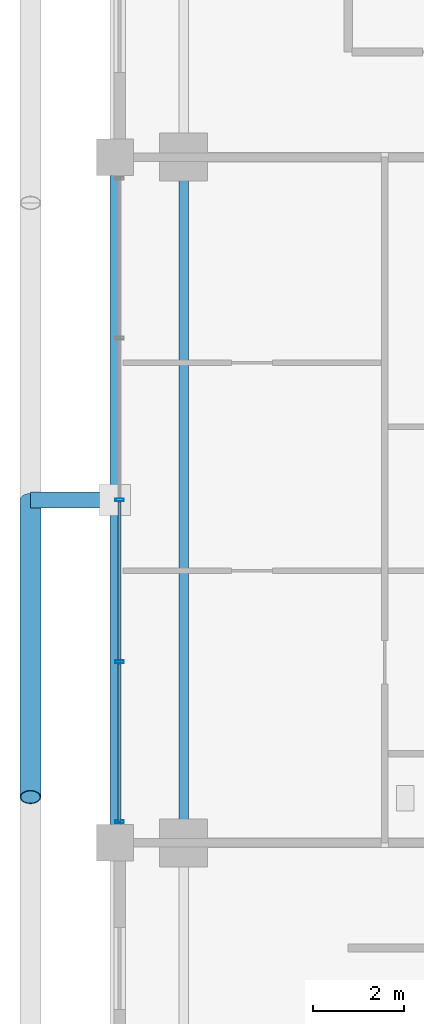
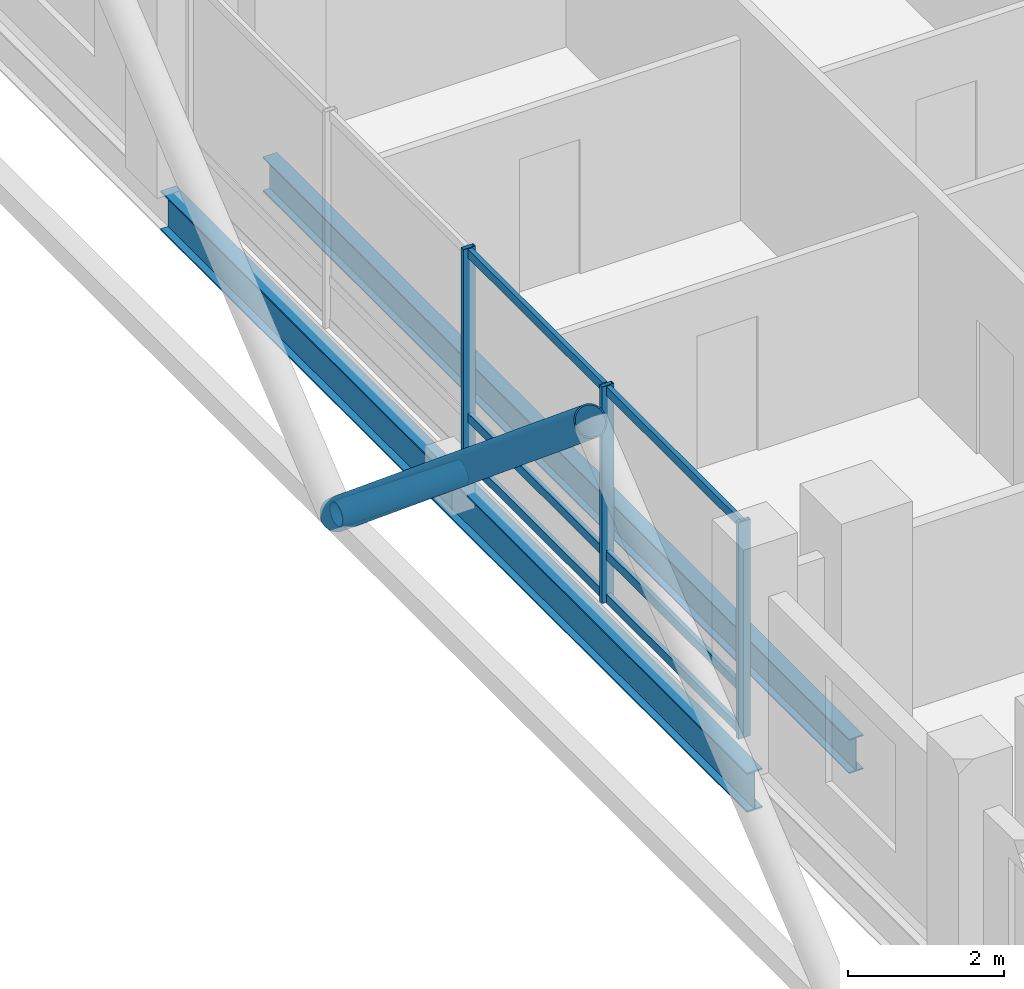
# One storey, part 7 of 26: 11 members, 2 beams, 1 element without a shape of its own.
"""IFC4 building model written with IfcOpenShell, lengths in metres."""

from ifc_helpers import new_model, si_unit, direction, frame, origin, origin_2d, place, context, subcontext, project, spatial, hollow_rectangle, hollow_circle, i_section, extrude, material, layer, layer_set, material_profile, profile_set, type_object, element, aggregate, save


model = new_model("IFC4")

# Units and contexts
model_context = context("Model", 3, precision=1e-05, world=origin(), true_north=direction((0.0, 1.0)))
body_context = subcontext(model_context, "Body", "Model", "MODEL_VIEW")
ifc_project = project(units=[si_unit("LENGTHUNIT", "METRE"), si_unit("AREAUNIT", "SQUARE_METRE"), si_unit("VOLUMEUNIT", "CUBIC_METRE"), si_unit("PLANEANGLEUNIT", "RADIAN"), si_unit("MASSUNIT", "GRAM", prefix="KILO")], contexts=[model_context])

# Site, building, storey
site_placement = place(None, origin())
site = spatial("IfcSite", under=ifc_project, at=site_placement, CompositionType="ELEMENT")
building_placement = place(site_placement, origin())
building = spatial("IfcBuilding", under=site, at=building_placement, Name="Barlavira Tower and Art Museum", CompositionType="ELEMENT")
storey_placement = place(building_placement, frame((0.0, 0.0, 187.199951171875)))
storey = spatial("IfcBuildingStorey", under=building, at=storey_placement, Name="L48", CompositionType="ELEMENT", Elevation=187.199951171875)

# Curtain wall, members
ifc_material_1 = material(Name="Low-iron coastal laminated glass", Category="glass")
ifc_layer = layer(ifc_material_1, 0.199951171875, Name="Low-iron coastal laminated glass")
ifc_layer_set = layer_set([ifc_layer], Name="Low-iron coastal laminated glass")
curtain_wall_type = type_object("IfcCurtainWallType", Name="Pale-Metal Unitised Curtain Wall Zone 3", PredefinedType="NOTDEFINED", material=ifc_layer_set)
curtain_wall_placement = place(storey_placement, origin())
curtain_wall = element("IfcCurtainWall", 1, at=curtain_wall_placement, inside=storey, type_object=curtain_wall_type, Name="L48 Curtain Wall CW3-L48-W-B3", PredefinedType="NOTDEFINED")
ifc_material_2 = material(Name="Pale anodised aluminium", Category="aluminium")
ifc_material_profile_1 = material_profile(ifc_material_2, hollow_rectangle(XDim=0.06494140625, YDim=0.179931640625, WallThickness=0.00390625, at=origin_2d()), Name="ALU-MULL 65x180x4")
ifc_profile_set_1 = profile_set([ifc_material_profile_1], Name="Pale anodised aluminium")
member_type_1 = type_object("IfcMemberType", Name="Curtain Wall Pale-Metal Mullion 65x180", PredefinedType="MULLION", material=ifc_profile_set_1)
member_1_placement = place(storey_placement, frame((-18.39990234375, 0.0, 0.0), z_axis=(0.0, 0.0, 1.0), x_axis=(0.0, -1.0, 0.0)))
member_1 = element("IfcMember", 2, at=member_1_placement, type_object=member_type_1, Name="CW3-L48-W-B3 Mullion 2", PredefinedType="MULLION", context=body_context, shape_type="SweptSolid", body=[
    extrude(hollow_rectangle(XDim=0.06494140625, YDim=0.179931640625, WallThickness=0.00390625, at=origin_2d()), origin(), (0.0, 0.0, 1.0), 3.380126953125),
])
member_2_placement = place(storey_placement, frame((-18.39990234375, -3.5400390625, 0.0), z_axis=(0.0, 0.0, 1.0), x_axis=(0.0, -1.0, 0.0)))
member_2 = element("IfcMember", 3, at=member_2_placement, type_object=member_type_1, Name="CW3-L48-W-B3 Mullion 3", PredefinedType="MULLION", context=body_context, shape_type="SweptSolid", body=[
    extrude(hollow_rectangle(XDim=0.06494140625, YDim=0.179931640625, WallThickness=0.00390625, at=origin_2d()), origin(), (0.0, 0.0, 1.0), 3.380126953125),
])
member_3_placement = place(storey_placement, frame((-18.39990234375, -7.034912109375, 0.0), z_axis=(0.0, 0.0, 1.0), x_axis=(0.0, -1.0, 0.0)))
member_3 = element("IfcMember", 4, at=member_3_placement, type_object=member_type_1, Name="CW3-L48-W-B3 Mullion 4", PredefinedType="MULLION", context=body_context, shape_type="SweptSolid", body=[
    extrude(hollow_rectangle(XDim=0.06494140625, YDim=0.179931640625, WallThickness=0.00390625, at=origin_2d()), origin(), (0.0, 0.0, 1.0), 3.380126953125),
])
ifc_material_profile_2 = material_profile(ifc_material_2, hollow_rectangle(XDim=0.06494140625, YDim=0.139892578125, WallThickness=0.00390625, at=origin_2d()), Name="ALU-TRAN 65x140x4")
ifc_profile_set_2 = profile_set([ifc_material_profile_2], Name="Pale anodised aluminium")
member_type_2 = type_object("IfcMemberType", Name="Curtain Wall Pale-Metal Transom 65x140", PredefinedType="USERDEFINED", material=ifc_profile_set_2)
member_4_placement = place(storey_placement, frame((-18.39990234375, -0.044921875, 0.070068359375), z_axis=(0.0, -1.0, 0.0), x_axis=(1.0, 0.0, 0.0)))
member_4 = element("IfcMember", 5, at=member_4_placement, type_object=member_type_2, Name="CW3-L48-W-B3 Transom 2.1", ObjectType="TRANSOM", PredefinedType="USERDEFINED", context=body_context, shape_type="SweptSolid", body=[
    extrude(hollow_rectangle(XDim=0.06494140625, YDim=0.139892578125, WallThickness=0.00390625, at=origin_2d()), origin(), (0.0, 0.0, 1.0), 3.4501953125),
])
member_5_placement = place(storey_placement, frame((-18.39990234375, -0.044921875, 0.744140625), z_axis=(0.0, -1.0, 0.0), x_axis=(1.0, 0.0, 0.0)))
member_5 = element("IfcMember", 6, at=member_5_placement, type_object=member_type_2, Name="CW3-L48-W-B3 Transom 2.2", ObjectType="TRANSOM", PredefinedType="USERDEFINED", context=body_context, shape_type="SweptSolid", body=[
    extrude(hollow_rectangle(XDim=0.06494140625, YDim=0.139892578125, WallThickness=0.00390625, at=origin_2d()), origin(), (0.0, 0.0, 1.0), 3.4501953125),
])
member_6_placement = place(storey_placement, frame((-18.39990234375, -0.044921875, 3.31005859375), z_axis=(0.0, -1.0, 0.0), x_axis=(1.0, 0.0, 0.0)))
member_6 = element("IfcMember", 7, at=member_6_placement, type_object=member_type_2, Name="CW3-L48-W-B3 Transom 2.3", ObjectType="TRANSOM", PredefinedType="USERDEFINED", context=body_context, shape_type="SweptSolid", body=[
    extrude(hollow_rectangle(XDim=0.06494140625, YDim=0.139892578125, WallThickness=0.00390625, at=origin_2d()), origin(), (0.0, 0.0, 1.0), 3.4501953125),
])
member_7_placement = place(storey_placement, frame((-18.39990234375, -3.5849609375, 0.070068359375), z_axis=(0.0, -1.0, 0.0), x_axis=(1.0, 0.0, 0.0)))
member_7 = element("IfcMember", 8, at=member_7_placement, type_object=member_type_2, Name="CW3-L48-W-B3 Transom 3.1", ObjectType="TRANSOM", PredefinedType="USERDEFINED", context=body_context, shape_type="SweptSolid", body=[
    extrude(hollow_rectangle(XDim=0.06494140625, YDim=0.139892578125, WallThickness=0.00390625, at=origin_2d()), origin(), (0.0, 0.0, 1.0), 3.449951171875),
])
member_8_placement = place(storey_placement, frame((-18.39990234375, -3.5849609375, 0.744140625), z_axis=(0.0, -1.0, 0.0), x_axis=(1.0, 0.0, 0.0)))
member_8 = element("IfcMember", 9, at=member_8_placement, type_object=member_type_2, Name="CW3-L48-W-B3 Transom 3.2", ObjectType="TRANSOM", PredefinedType="USERDEFINED", context=body_context, shape_type="SweptSolid", body=[
    extrude(hollow_rectangle(XDim=0.06494140625, YDim=0.139892578125, WallThickness=0.00390625, at=origin_2d()), origin(), (0.0, 0.0, 1.0), 3.449951171875),
])
member_9_placement = place(storey_placement, frame((-18.39990234375, -3.5849609375, 3.31005859375), z_axis=(0.0, -1.0, 0.0), x_axis=(1.0, 0.0, 0.0)))
member_9 = element("IfcMember", 10, at=member_9_placement, type_object=member_type_2, Name="CW3-L48-W-B3 Transom 3.3", ObjectType="TRANSOM", PredefinedType="USERDEFINED", context=body_context, shape_type="SweptSolid", body=[
    extrude(hollow_rectangle(XDim=0.06494140625, YDim=0.139892578125, WallThickness=0.00390625, at=origin_2d()), origin(), (0.0, 0.0, 1.0), 3.449951171875),
])
aggregate(curtain_wall, [member_1, member_2, member_3, member_4, member_5, member_6, member_7, member_8, member_9])

# Members
ifc_material_3 = material(Name="Steel S355", Category="steel")
ifc_material_profile_3 = material_profile(ifc_material_3, hollow_circle(Radius=0.228515625, WallThickness=0.02001953125, at=origin_2d()), Name="CHS 457.0x20.0")
ifc_profile_set_3 = profile_set([ifc_material_profile_3], Name="Steel S355")
member_type_3 = type_object("IfcMemberType", Name="Pale-Metal Exoskeleton Diagrid Tube CHS 457x20 Steel S355", PredefinedType="BRACE", material=ifc_profile_set_3)
member_10_placement = place(storey_placement, frame((-20.35009765625, 0.0, -0.119873046875), z_axis=(0.0, -0.769196053329, 0.639012857104), x_axis=(1.0, 0.0, 0.0)))
element("IfcMember", 11, at=member_10_placement, inside=storey, type_object=member_type_3, Name="L48 Exoskeleton Diagrid Tube W", PredefinedType="BRACE", context=body_context, shape_type="SweptSolid", body=[
    extrude(hollow_circle(Radius=0.228515625, WallThickness=0.02001953125, at=origin_2d()), origin(), (0.0, 0.0, 1.0), 8.450439453125),
])
ifc_material_profile_4 = material_profile(ifc_material_3, hollow_circle(Radius=0.177734375, WallThickness=0.01611328125, at=origin_2d()), Name="CHS 355.6x16.0")
ifc_profile_set_4 = profile_set([ifc_material_profile_4], Name="Steel S355")
member_type_4 = type_object("IfcMemberType", Name="Pale-Metal Exoskeleton Tie Strut CHS 356x16 Steel S355", PredefinedType="STRUT", material=ifc_profile_set_4)
member_11_placement = place(storey_placement, frame((-20.35009765625, 0.0, -0.119873046875), z_axis=(1.0, 0.0, 0.0), x_axis=(0.0, 1.0, 0.0)))
element("IfcMember", 12, at=member_11_placement, inside=storey, type_object=member_type_4, Name="L48 Exoskeleton Tie Strut W2", PredefinedType="STRUT", context=body_context, shape_type="SweptSolid", body=[
    extrude(hollow_circle(Radius=0.177734375, WallThickness=0.01611328125, at=origin_2d()), origin(), (0.0, 0.0, 1.0), 1.85009765625),
])

# Beams
ifc_material_profile_5 = material_profile(ifc_material_3, i_section(OverallWidth=0.22998046875, OverallDepth=0.616943359375, WebThickness=0.01318359375, FlangeThickness=0.022216796875, at=origin_2d()), Name="W610x140.0")
ifc_profile_set_5 = profile_set([ifc_material_profile_5], Name="Steel S355")
beam_type_1 = type_object("IfcBeamType", Name="Upper Shaft Spandrel Edge Beam W610x140 Steel S355", PredefinedType="SPANDREL", material=ifc_profile_set_5)
beam_1_placement = place(storey_placement, frame((-18.5, -7.5, -0.528564453125), z_axis=(0.0, 1.0, 0.0), x_axis=(-1.0, 0.0, 0.0)))
element("IfcBeam", 13, at=beam_1_placement, inside=storey, type_object=beam_type_1, Name="L48 Spandrel 14", PredefinedType="SPANDREL", context=body_context, shape_type="SweptSolid", body=[
    extrude(i_section(OverallWidth=0.22998046875, OverallDepth=0.616943359375, WebThickness=0.01318359375, FlangeThickness=0.022216796875, at=origin_2d()), origin(), (0.0, 0.0, 1.0), 15.0),
])
ifc_material_profile_6 = material_profile(ifc_material_3, i_section(OverallWidth=0.2109375, OverallDepth=0.5390625, WebThickness=0.01171875, FlangeThickness=0.018798828125, at=origin_2d()), Name="W530x109.0")
ifc_profile_set_6 = profile_set([ifc_material_profile_6], Name="Steel S355")
beam_type_2 = type_object("IfcBeamType", Name="Zone 3-4 Primary Floor Girder W530x109 Steel S355", PredefinedType="BEAM", material=ifc_profile_set_6)
beam_2_placement = place(storey_placement, frame((-17.0, -7.5, -0.489501953125), z_axis=(0.0, 1.0, 0.0), x_axis=(-1.0, 0.0, 0.0)))
element("IfcBeam", 14, at=beam_2_placement, inside=storey, type_object=beam_type_2, Name="L48 Girder M-W2", PredefinedType="BEAM", context=body_context, shape_type="SweptSolid", body=[
    extrude(i_section(OverallWidth=0.2109375, OverallDepth=0.5390625, WebThickness=0.01171875, FlangeThickness=0.018798828125, at=origin_2d()), origin(), (0.0, 0.0, 1.0), 15.0),
])

save(model, "model.ifc")
